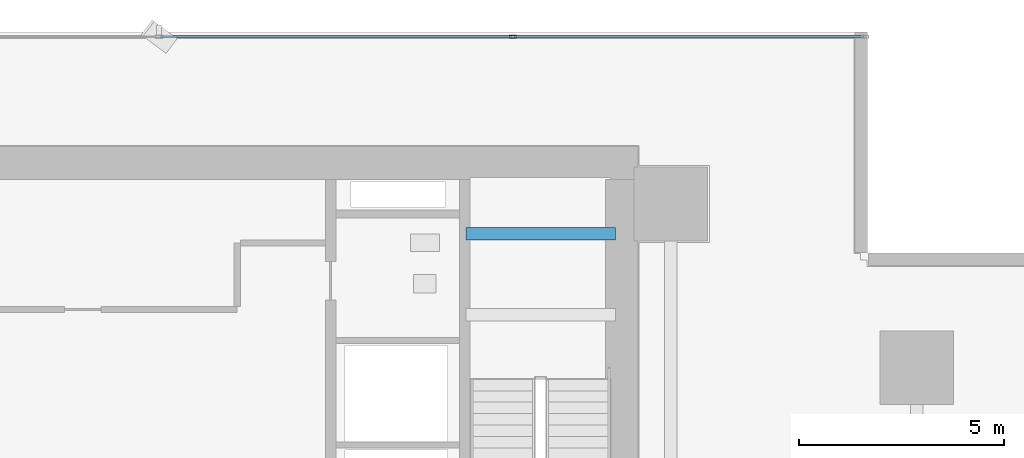
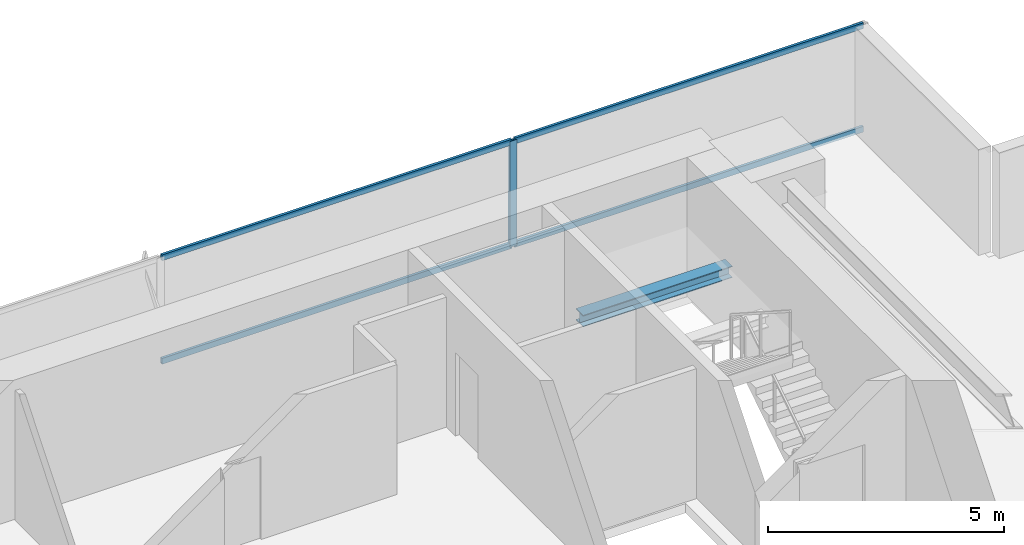
# One storey, part 22 of 33: 5 members, 1 beam, 1 element without a shape of its own.
"""IFC4 building model written with IfcOpenShell, lengths in metres."""

from ifc_helpers import new_model, si_unit, direction, frame, origin, origin_2d, place, context, subcontext, project, spatial, hollow_rectangle, i_section, extrude, source, transform, mapped, material, layer, layer_set, material_profile, profile_set, type_object, element, aggregate, save


model = new_model("IFC4")

# Units and contexts
model_context = context("Model", 3, precision=1e-05, world=origin(), true_north=direction((0.0, 1.0)))
body_context = subcontext(model_context, "Body", "Model", "MODEL_VIEW")
ifc_project = project(units=[si_unit("LENGTHUNIT", "METRE"), si_unit("AREAUNIT", "SQUARE_METRE"), si_unit("VOLUMEUNIT", "CUBIC_METRE"), si_unit("PLANEANGLEUNIT", "RADIAN"), si_unit("MASSUNIT", "GRAM", prefix="KILO")], contexts=[model_context])

# Site, building, storey
site_placement = place(None, origin())
site = spatial("IfcSite", under=ifc_project, at=site_placement, CompositionType="ELEMENT")
building_placement = place(site_placement, origin())
building = spatial("IfcBuilding", under=site, at=building_placement, Name="Sumidabori Civic Tower", CompositionType="ELEMENT")
storey_placement = place(building_placement, frame((0.0, 0.0, 27.199951171875)))
storey = spatial("IfcBuildingStorey", under=building, at=storey_placement, Name="L06", CompositionType="ELEMENT", Elevation=27.199951171875)

# Beam
ifc_material_1 = material(Name="Steel SN490", Category="steel")
ifc_material_profile_1 = material_profile(ifc_material_1, i_section(OverallWidth=0.300048828125, OverallDepth=0.300048828125, WebThickness=0.010986328125, FlangeThickness=0.01904296875, at=origin_2d()), Name="HE 300 B")
ifc_profile_set_1 = profile_set([ifc_material_profile_1], Name="Steel SN490")
beam_type = type_object("IfcBeamType", Name="BM-LDG-300", PredefinedType="BEAM", material=ifc_profile_set_1)
shared_shape_1 = source(origin(), body_context, "Body", "SweptSolid", [
    extrude(i_section(OverallWidth=0.300048828125, OverallDepth=0.300048828125, WebThickness=0.010986328125, FlangeThickness=0.01904296875, at=origin_2d()), origin(), (0.0, 0.0, 1.0), 3.64990234375),
])
beam_placement = place(storey_placement, frame((11.800048828125, 22.069580078125, 1.449951171875), z_axis=(1.0, 0.0, 0.0), x_axis=(0.0, 1.0, 0.0)))
element("IfcBeam", 1, at=beam_placement, inside=storey, type_object=beam_type, Name="Stair ST-2 Landing Trimmer Beam L06-1B", PredefinedType="BEAM", context=body_context, shape_type="MappedRepresentation", body=[
    mapped(shared_shape_1, transform((0.0, 0.0, 0.0), x_axis=(1.0, 0.0, 0.0), y_axis=(0.0, 1.0, 0.0), z_axis=(0.0, 0.0, 1.0), scale=1.0)),
])

# Curtain wall, members
ifc_material_2 = material(Name="Anodised Bronze Aluminium AW-6063-T6", Category="aluminium")
ifc_layer = layer(ifc_material_2, 0.179931640625, Name="Anodised Bronze Aluminium AW-6063-T6")
ifc_layer_set = layer_set([ifc_layer], Name="Anodised Bronze Aluminium AW-6063-T6")
curtain_wall_type = type_object("IfcCurtainWallType", Name="CW-SYS-2", PredefinedType="NOTDEFINED", material=ifc_layer_set)
curtain_wall_placement = place(storey_placement, origin())
curtain_wall = element("IfcCurtainWall", 2, at=curtain_wall_placement, inside=storey, type_object=curtain_wall_type, Name="Curtain Wall CW:L06:R07", PredefinedType="NOTDEFINED")
ifc_material_profile_2 = material_profile(ifc_material_2, hollow_rectangle(XDim=0.070068359375, YDim=0.179931640625, WallThickness=0.006103515625, at=origin_2d()), Name="ALU MULLION 180x70")
ifc_profile_set_2 = profile_set([ifc_material_profile_2], Name="Anodised Bronze Aluminium AW-6063-T6")
member_type_1 = type_object("IfcMemberType", Name="CW-MUL-180", PredefinedType="MULLION", material=ifc_profile_set_2)
shared_shape_2 = source(origin(), body_context, "Body", "SweptSolid", [
    extrude(hollow_rectangle(XDim=0.070068359375, YDim=0.179931640625, WallThickness=0.006103515625, at=origin_2d()), origin(), (0.0, 0.0, 1.0), 2.739990234375),
])
member_1_placement = place(storey_placement, frame((12.94189453125, 26.8798828125, 0.0), z_axis=(0.0, 0.0, 1.0), x_axis=(0.0, -1.0, 0.0)))
member_1 = element("IfcMember", 3, at=member_1_placement, type_object=member_type_1, Name="CW-2 mullion 2", PredefinedType="MULLION", context=body_context, shape_type="MappedRepresentation", body=[
    mapped(shared_shape_2, transform((0.0, 0.0, 0.0), x_axis=(1.0, 0.0, 0.0), y_axis=(0.0, 1.0, 0.0), z_axis=(0.0, 0.0, 1.0), scale=1.0)),
])
ifc_material_profile_3 = material_profile(ifc_material_2, hollow_rectangle(XDim=0.06494140625, YDim=0.14990234375, WallThickness=0.0048828125, at=origin_2d()), Name="ALU TRANSOM 150x65")
ifc_profile_set_3 = profile_set([ifc_material_profile_3], Name="Anodised Bronze Aluminium AW-6063-T6")
member_type_2 = type_object("IfcMemberType", Name="CW-TRN-150", PredefinedType="USERDEFINED", material=ifc_profile_set_3)
shared_shape_3 = source(origin(), body_context, "Body", "SweptSolid", [
    extrude(hollow_rectangle(XDim=0.06494140625, YDim=0.14990234375, WallThickness=0.0048828125, at=origin_2d()), origin(), (0.0, 0.0, 1.0), 8.52294921875),
])
member_2_placement = place(storey_placement, frame((21.5, 26.8798828125, 0.032470703125), z_axis=(-1.0, 0.0, 0.0), x_axis=(0.0, -1.0, 0.0)))
member_2 = element("IfcMember", 4, at=member_2_placement, type_object=member_type_2, Name="CW-2 transom 1.1", ObjectType="TRANSOM", PredefinedType="USERDEFINED", context=body_context, shape_type="MappedRepresentation", body=[
    mapped(shared_shape_3, transform((0.0, 0.0, 0.0), x_axis=(1.0, 0.0, 0.0), y_axis=(0.0, 1.0, 0.0), z_axis=(0.0, 0.0, 1.0), scale=1.0)),
])
member_3_placement = place(storey_placement, frame((21.5, 26.8798828125, 2.70751953125), z_axis=(-1.0, 0.0, 0.0), x_axis=(0.0, -1.0, 0.0)))
member_3 = element("IfcMember", 5, at=member_3_placement, type_object=member_type_2, Name="CW-2 transom 1.2", ObjectType="TRANSOM", PredefinedType="USERDEFINED", context=body_context, shape_type="MappedRepresentation", body=[
    mapped(shared_shape_3, transform((0.0, 0.0, 0.0), x_axis=(1.0, 0.0, 0.0), y_axis=(0.0, 1.0, 0.0), z_axis=(0.0, 0.0, 1.0), scale=1.0)),
])
shared_shape_4 = source(origin(), body_context, "Body", "SweptSolid", [
    extrude(hollow_rectangle(XDim=0.06494140625, YDim=0.14990234375, WallThickness=0.0048828125, at=origin_2d()), origin(), (0.0, 0.0, 1.0), 8.557861328125),
])
member_4_placement = place(storey_placement, frame((12.906982421875, 26.8798828125, 0.032470703125), z_axis=(-1.0, 0.0, 0.0), x_axis=(0.0, -1.0, 0.0)))
member_4 = element("IfcMember", 6, at=member_4_placement, type_object=member_type_2, Name="CW-2 transom 2.1", ObjectType="TRANSOM", PredefinedType="USERDEFINED", context=body_context, shape_type="MappedRepresentation", body=[
    mapped(shared_shape_4, transform((0.0, 0.0, 0.0), x_axis=(1.0, 0.0, 0.0), y_axis=(0.0, 1.0, 0.0), z_axis=(0.0, 0.0, 1.0), scale=1.0)),
])
member_5_placement = place(storey_placement, frame((12.906982421875, 26.8798828125, 2.70751953125), z_axis=(-1.0, 0.0, 0.0), x_axis=(0.0, -1.0, 0.0)))
member_5 = element("IfcMember", 7, at=member_5_placement, type_object=member_type_2, Name="CW-2 transom 2.2", ObjectType="TRANSOM", PredefinedType="USERDEFINED", context=body_context, shape_type="MappedRepresentation", body=[
    mapped(shared_shape_4, transform((0.0, 0.0, 0.0), x_axis=(1.0, 0.0, 0.0), y_axis=(0.0, 1.0, 0.0), z_axis=(0.0, 0.0, 1.0), scale=1.0)),
])
aggregate(curtain_wall, [member_1, member_2, member_3, member_4, member_5])

save(model, "model.ifc")
